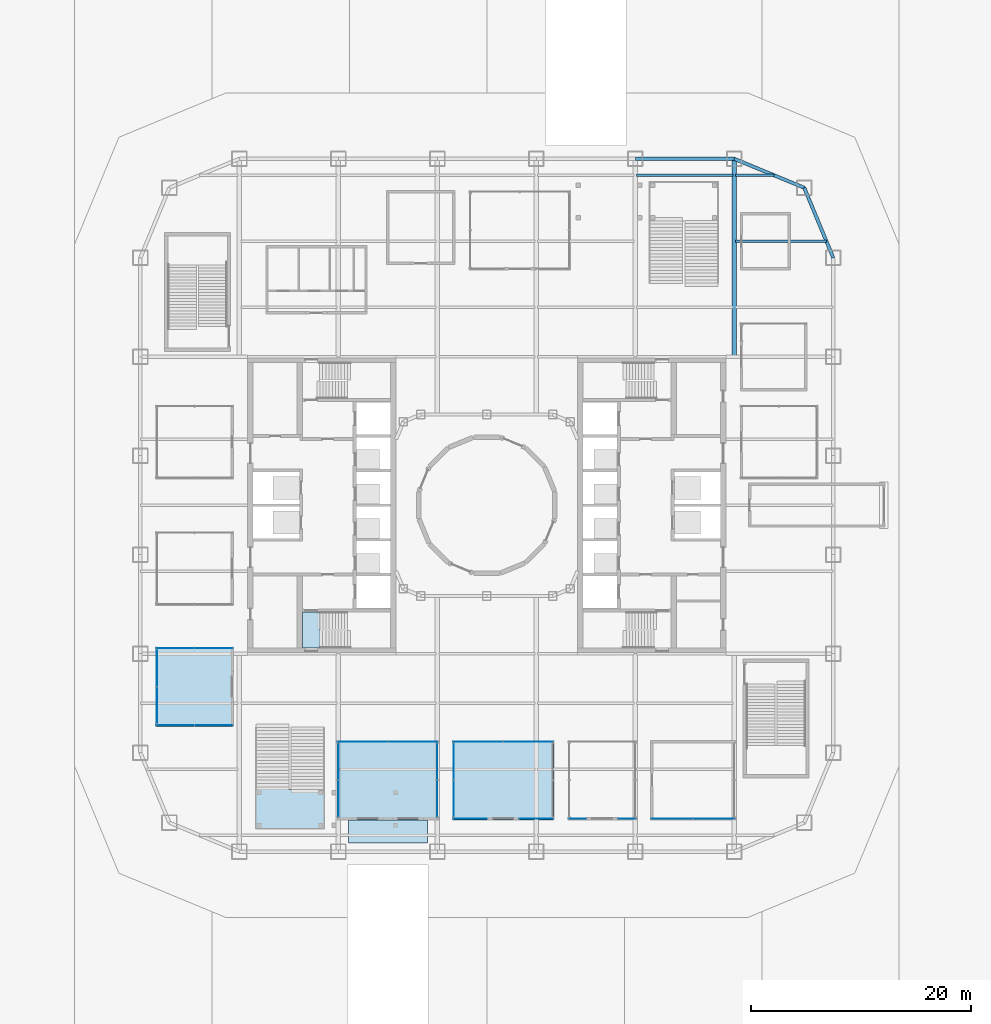
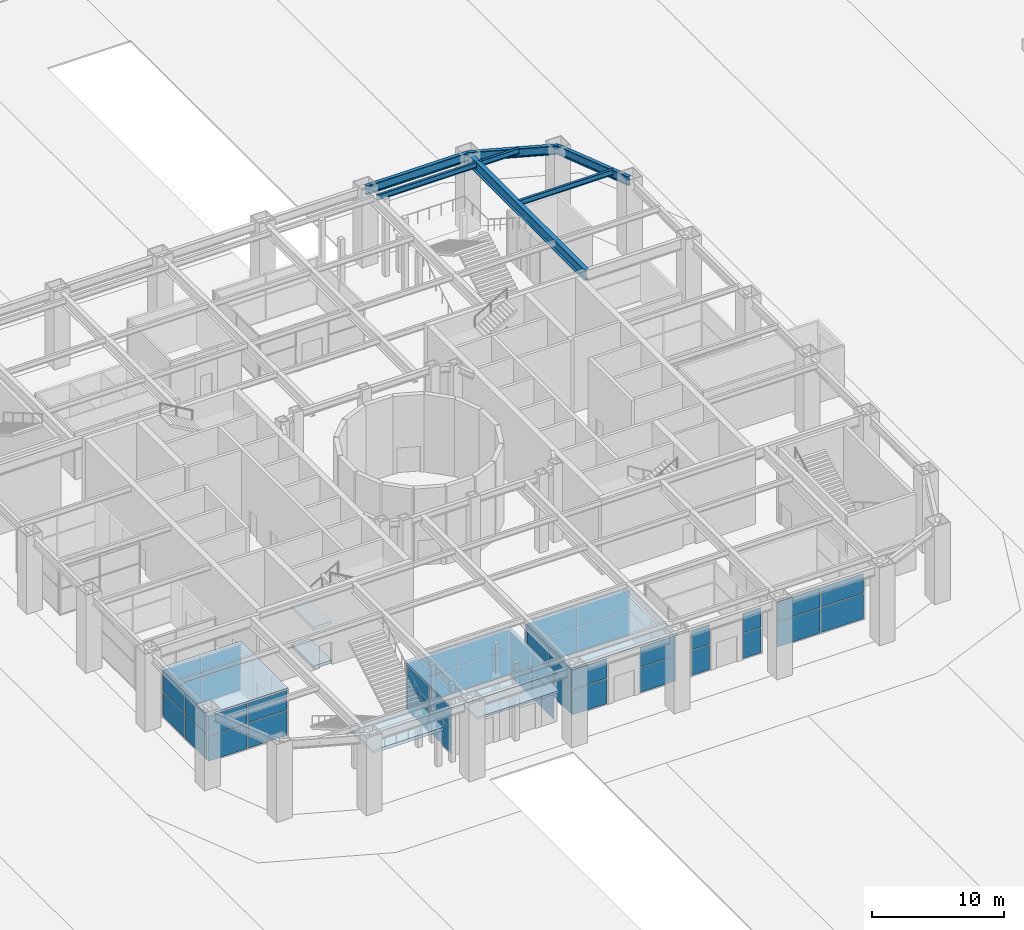
# One storey, part 10 of 20: 48 plates, 7 beams, 3 slabs, 15 elements without a shape of their own.
"""IFC4 building model written with IfcOpenShell, lengths in metres."""

from ifc_helpers import new_model, si_unit, direction, frame, origin, origin_2d, place, context, subcontext, project, spatial, polyline, rectangle, i_section, outline, extrude, material, layer, layer_set, material_profile, profile_set, type_object, element, aggregate, save


model = new_model("IFC4")

# Units and contexts
model_context = context("Model", 3, precision=1e-05, world=origin(), true_north=direction((0.0, 1.0)))
body_context = subcontext(model_context, "Body", "Model", "MODEL_VIEW")
ifc_project = project(units=[si_unit("LENGTHUNIT", "METRE"), si_unit("AREAUNIT", "SQUARE_METRE"), si_unit("VOLUMEUNIT", "CUBIC_METRE"), si_unit("PLANEANGLEUNIT", "RADIAN"), si_unit("MASSUNIT", "GRAM", prefix="KILO")], contexts=[model_context])

# Site, building, storey
site_placement = place(None, origin())
site = spatial("IfcSite", under=ifc_project, at=site_placement, CompositionType="ELEMENT")
building_placement = place(site_placement, origin())
building = spatial("IfcBuilding", under=site, at=building_placement, Name="Siwar Civic Tower", CompositionType="ELEMENT")
storey_placement = place(building_placement, origin())
storey = spatial("IfcBuildingStorey", under=building, at=storey_placement, Name="L00", CompositionType="ELEMENT", Elevation=0.0)

# Beams
ifc_material_1 = material(Name="Steel S355", Category="steel")
ifc_material_profile_1 = material_profile(ifc_material_1, i_section(OverallWidth=0.199951171875, OverallDepth=0.5, WebThickness=0.01025390625, FlangeThickness=0.01611328125, FilletRadius=0.02099609375, at=origin_2d()), Name="IPE500")
ifc_profile_set_1 = profile_set([ifc_material_profile_1], Name="Steel S355")
beam_type_1 = type_object("IfcBeamType", Name="STR-FB-IPE500", PredefinedType="JOIST", material=ifc_profile_set_1)
beam_1_placement = place(storey_placement, frame((22.6298828125, 24.0, 6.75), z_axis=(1.0, 0.0, 0.0), x_axis=(0.0, 1.0, 0.0)))
element("IfcBeam", 1, at=beam_1_placement, inside=storey, type_object=beam_type_1, Name="L00/bm/F053", PredefinedType="JOIST", context=body_context, shape_type="SweptSolid", body=[
    extrude(i_section(OverallWidth=0.199951171875, OverallDepth=0.5, WebThickness=0.01025390625, FlangeThickness=0.01611328125, FilletRadius=0.02099609375, at=origin_2d()), origin(), (0.0, 0.0, 1.0), 8.248779296875),
])
beam_2_placement = place(storey_placement, frame((13.6298828125, 30.0, 6.75), z_axis=(1.0, 0.0, 0.0), x_axis=(0.0, 1.0, 0.0)))
element("IfcBeam", 2, at=beam_2_placement, inside=storey, type_object=beam_type_1, Name="L00/bm/F059", PredefinedType="JOIST", context=body_context, shape_type="SweptSolid", body=[
    extrude(i_section(OverallWidth=0.199951171875, OverallDepth=0.5, WebThickness=0.01025390625, FlangeThickness=0.01611328125, FilletRadius=0.02099609375, at=origin_2d()), origin(), (0.0, 0.0, 1.0), 8.740234375),
])
beam_3_placement = place(storey_placement, frame((22.6298828125, 30.0, 6.75), z_axis=(1.0, 0.0, 0.0), x_axis=(0.0, 1.0, 0.0)))
element("IfcBeam", 3, at=beam_3_placement, inside=storey, type_object=beam_type_1, Name="L00/bm/F060", PredefinedType="JOIST", context=body_context, shape_type="SweptSolid", body=[
    extrude(i_section(OverallWidth=0.199951171875, OverallDepth=0.5, WebThickness=0.01025390625, FlangeThickness=0.01611328125, FilletRadius=0.02099609375, at=origin_2d()), origin(), (0.0, 0.0, 1.0), 3.491455078125),
])
ifc_material_2 = material(Name="Steel S355", Category="steel")
ifc_material_profile_2 = material_profile(ifc_material_2, i_section(OverallWidth=0.39990234375, OverallDepth=1.0, WebThickness=0.01611328125, FlangeThickness=0.0400390625, at=origin_2d()), Name="PG1000x400x16x40")
ifc_profile_set_2 = profile_set([ifc_material_profile_2], Name="Steel S355")
beam_type_2 = type_object("IfcBeamType", Name="STR-PG-PG1000x400x16x40", PredefinedType="BEAM", material=ifc_profile_set_2)
beam_4_placement = place(storey_placement, frame((22.5, 13.5, 6.5), z_axis=(0.0, 1.0, 0.0), x_axis=(-1.0, 0.0, 0.0)))
element("IfcBeam", 4, at=beam_4_placement, inside=storey, type_object=beam_type_2, Name="L00/bm/G12", PredefinedType="BEAM", context=body_context, shape_type="SweptSolid", body=[
    extrude(i_section(OverallWidth=0.39990234375, OverallDepth=1.0, WebThickness=0.01611328125, FlangeThickness=0.0400390625, at=origin_2d()), origin(), (0.0, 0.0, 1.0), 18.0),
])
ifc_material_3 = material(Name="Steel S355", Category="steel")
ifc_material_profile_3 = material_profile(ifc_material_3, i_section(OverallWidth=0.302978515625, OverallDepth=0.81396484375, WebThickness=0.02099609375, FlangeThickness=0.0400390625, FilletRadius=0.030029296875, at=origin_2d()), Name="HEM800")
ifc_profile_set_3 = profile_set([ifc_material_profile_3], Name="Steel S355")
beam_type_3 = type_object("IfcBeamType", Name="STR-SB-HEM800", PredefinedType="BEAM", material=ifc_profile_set_3)
for number, where, z_axis, x_axis, name in (
    (5, (31.5, 22.5, 6.593017578125), (-0.382674207535, 0.923883353507, 0.0), (-0.923883353507, -0.382674207535, 0.0), "L00/bm/SNE1-0"),
    (6, (28.864013671875, 28.864013671875, 6.593017578125), (-0.923883353507, 0.382674207535, 0.0), (-0.382674207535, -0.923883353507, 0.0), "L00/bm/SNE2-0"),
):
    element("IfcBeam", number, at=place(storey_placement, frame(where, z_axis=z_axis, x_axis=x_axis)), inside=storey, type_object=beam_type_3, Name=name, PredefinedType="BEAM", context=body_context, shape_type="SweptSolid", body=[
        extrude(i_section(OverallWidth=0.302978515625, OverallDepth=0.81396484375, WebThickness=0.02099609375, FlangeThickness=0.0400390625, FilletRadius=0.030029296875, at=origin_2d()), origin(), (0.0, 0.0, 1.0), 6.888427734375),
    ])
beam_5_placement = place(storey_placement, frame((22.5, 31.5, 6.593017578125), z_axis=(-1.0, 0.0, 0.0), x_axis=(0.0, -1.0, 0.0)))
element("IfcBeam", 7, at=beam_5_placement, inside=storey, type_object=beam_type_3, Name="L00/bm/SN-0", PredefinedType="BEAM", context=body_context, shape_type="SweptSolid", body=[
    extrude(i_section(OverallWidth=0.302978515625, OverallDepth=0.81396484375, WebThickness=0.02099609375, FlangeThickness=0.0400390625, FilletRadius=0.030029296875, at=origin_2d()), origin(), (0.0, 0.0, 1.0), 9.0),
])

# Stair, slabs
ifc_material_4 = material(Name="Concrete C40/50", Category="concrete")
stair_type_1 = type_object("IfcStairType", Name="CORE-STAIR", PredefinedType="TWO_STRAIGHT_RUN_STAIR", material=ifc_material_4)
stair_1_placement = place(storey_placement, origin())
stair_1 = element("IfcStair", 8, at=stair_1_placement, inside=storey, type_object=stair_type_1, Name="Exit stair ST2", PredefinedType="TWO_STRAIGHT_RUN_STAIR")
ifc_material_5 = material(Name="Concrete C40/50", Category="concrete")
ifc_layer_1 = layer(ifc_material_5, 0.300048828125)
ifc_layer_set_1 = layer_set([ifc_layer_1], Name="Concrete C40/50")
slab_type_1 = type_object("IfcSlabType", Name="CORE-STAIR-LANDING", PredefinedType="LANDING", material=ifc_layer_set_1)
slab_1_placement = place(storey_placement, frame((0.0, 0.0, -0.300048828125)))
slab_1 = element("IfcSlab", 9, at=slab_1_placement, type_object=slab_type_1, Name="ST2 landing 1", PredefinedType="LANDING", context=body_context, shape_type="SweptSolid", body=[
    extrude(outline(polyline([(-15.14990234375, -9.699951171875), (-16.75, -9.699951171875), (-16.75, -13.0), (-15.14990234375, -13.0), (-15.14990234375, -9.699951171875)])), origin(), (0.0, 0.0, 1.0), 0.300048828125),
])
slab_2_placement = place(storey_placement, frame((0.0, 0.0, 3.300048828125)))
slab_2 = element("IfcSlab", 10, at=slab_2_placement, type_object=slab_type_1, Name="ST2 landing 3", PredefinedType="LANDING", context=body_context, shape_type="SweptSolid", body=[
    extrude(outline(polyline([(-15.14990234375, -9.699951171875), (-16.75, -9.699951171875), (-16.75, -13.0), (-15.14990234375, -13.0), (-15.14990234375, -9.699951171875)])), origin(), (0.0, 0.0, 1.0), 0.300048828125),
])
aggregate(stair_1, [slab_1, slab_2])

# Plate
ifc_material_6 = material(Name="Pale metal canopy")
ifc_layer_2 = layer(ifc_material_6, 0.199951171875)
ifc_layer_set_2 = layer_set([ifc_layer_2], Name="Pale metal canopy")
plate_type_1 = type_object("IfcPlateType", Name="GND-CANOPY", PredefinedType="SHEET", material=ifc_layer_set_2)
plate_1_placement = place(storey_placement, frame((0.0, 0.0, 4.300048828125)))
element("IfcPlate", 11, at=plate_1_placement, inside=storey, type_object=plate_type_1, Name="Main entrance canopy", PredefinedType="SHEET", context=body_context, shape_type="SweptSolid", body=[
    extrude(outline(polyline([(-12.60009765625, -30.699951171875), (-5.39990234375, -30.699951171875), (-5.39990234375, -28.60009765625), (-12.60009765625, -28.60009765625), (-12.60009765625, -30.699951171875)])), origin(), (0.0, 0.0, 1.0), 0.199951171875),
])

# Curtain wall, plates
ifc_material_7 = material(Name="Aluminium and glass", Category="aluminium")
ifc_layer_3 = layer(ifc_material_7, 0.199951171875)
ifc_layer_set_3 = layer_set([ifc_layer_3], Name="Aluminium and glass")
curtain_wall_type = type_object("IfcCurtainWallType", Name="GND-CWG", PredefinedType="NOTDEFINED", material=ifc_layer_set_3)
curtain_wall_1_placement = place(storey_placement, origin())
curtain_wall_1 = element("IfcCurtainWall", 12, at=curtain_wall_1_placement, inside=storey, type_object=curtain_wall_type, Name="Glazed screen P01", PredefinedType="NOTDEFINED")
ifc_material_8 = material(Name="Clear laminated glass", Category="glass")
ifc_layer_4 = layer(ifc_material_8, 0.028076171875)
ifc_layer_set_4 = layer_set([ifc_layer_4], Name="Clear laminated glass")
plate_type_2 = type_object("IfcPlateType", Name="GND-CWG-PANEL", PredefinedType="CURTAIN_PANEL", material=ifc_layer_set_4)
plate_2_placement = place(storey_placement, frame((-4.5, -26.68505859375, 0.06005859375), z_axis=(0.0, 0.0, 1.0), x_axis=(0.0, 1.0, 0.0)))
plate_2 = element("IfcPlate", 13, at=plate_2_placement, type_object=plate_type_2, Name="CW-G panel 1.1", PredefinedType="CURTAIN_PANEL", context=body_context, shape_type="SweptSolid", body=[
    extrude(rectangle(XDim=3.31005859375, YDim=0.028076171875, at=origin_2d()), origin(), (0.0, 0.0, 1.0), 2.31005859375),
])
plate_3_placement = place(storey_placement, frame((-4.5, -26.68505859375, 2.429931640625), z_axis=(0.0, 0.0, 1.0), x_axis=(0.0, 1.0, 0.0)))
plate_3 = element("IfcPlate", 14, at=plate_3_placement, type_object=plate_type_2, Name="CW-G panel 1.2", PredefinedType="CURTAIN_PANEL", context=body_context, shape_type="SweptSolid", body=[
    extrude(rectangle(XDim=3.31005859375, YDim=0.028076171875, at=origin_2d()), origin(), (0.0, 0.0, 1.0), 1.81005859375),
])
plate_4_placement = place(storey_placement, frame((-4.5, -23.31494140625, 0.06005859375), z_axis=(0.0, 0.0, 1.0), x_axis=(0.0, 1.0, 0.0)))
plate_4 = element("IfcPlate", 15, at=plate_4_placement, type_object=plate_type_2, Name="CW-G panel 2.1", PredefinedType="CURTAIN_PANEL", context=body_context, shape_type="SweptSolid", body=[
    extrude(rectangle(XDim=3.31005859375, YDim=0.028076171875, at=origin_2d()), origin(), (0.0, 0.0, 1.0), 2.31005859375),
])
plate_5_placement = place(storey_placement, frame((-4.5, -23.31494140625, 2.429931640625), z_axis=(0.0, 0.0, 1.0), x_axis=(0.0, 1.0, 0.0)))
plate_5 = element("IfcPlate", 16, at=plate_5_placement, type_object=plate_type_2, Name="CW-G panel 2.2", PredefinedType="CURTAIN_PANEL", context=body_context, shape_type="SweptSolid", body=[
    extrude(rectangle(XDim=3.31005859375, YDim=0.028076171875, at=origin_2d()), origin(), (0.0, 0.0, 1.0), 1.81005859375),
])
aggregate(curtain_wall_1, [plate_2, plate_3, plate_4, plate_5])

curtain_wall_2_placement = place(storey_placement, origin())
curtain_wall_2 = element("IfcCurtainWall", 17, at=curtain_wall_2_placement, inside=storey, type_object=curtain_wall_type, Name="Glazed screen P01", PredefinedType="NOTDEFINED")
plate_6_placement = place(storey_placement, frame((-11.284912109375, -21.5, 0.06005859375), z_axis=(0.0, 0.0, 1.0), x_axis=(1.0, 0.0, 0.0)))
plate_6 = element("IfcPlate", 18, at=plate_6_placement, type_object=plate_type_2, Name="CW-G panel 1.1", PredefinedType="CURTAIN_PANEL", context=body_context, shape_type="SweptSolid", body=[
    extrude(rectangle(XDim=4.510009765625, YDim=0.028076171875, at=origin_2d()), origin(), (0.0, 0.0, 1.0), 2.31005859375),
])
plate_7_placement = place(storey_placement, frame((-11.284912109375, -21.5, 2.429931640625), z_axis=(0.0, 0.0, 1.0), x_axis=(1.0, 0.0, 0.0)))
plate_7 = element("IfcPlate", 19, at=plate_7_placement, type_object=plate_type_2, Name="CW-G panel 1.2", PredefinedType="CURTAIN_PANEL", context=body_context, shape_type="SweptSolid", body=[
    extrude(rectangle(XDim=4.510009765625, YDim=0.028076171875, at=origin_2d()), origin(), (0.0, 0.0, 1.0), 1.81005859375),
])
plate_8_placement = place(storey_placement, frame((-6.715087890625, -21.5, 0.06005859375), z_axis=(0.0, 0.0, 1.0), x_axis=(1.0, 0.0, 0.0)))
plate_8 = element("IfcPlate", 20, at=plate_8_placement, type_object=plate_type_2, Name="CW-G panel 2.1", PredefinedType="CURTAIN_PANEL", context=body_context, shape_type="SweptSolid", body=[
    extrude(rectangle(XDim=4.510009765625, YDim=0.028076171875, at=origin_2d()), origin(), (0.0, 0.0, 1.0), 2.31005859375),
])
plate_9_placement = place(storey_placement, frame((-6.715087890625, -21.5, 2.429931640625), z_axis=(0.0, 0.0, 1.0), x_axis=(1.0, 0.0, 0.0)))
plate_9 = element("IfcPlate", 21, at=plate_9_placement, type_object=plate_type_2, Name="CW-G panel 2.2", PredefinedType="CURTAIN_PANEL", context=body_context, shape_type="SweptSolid", body=[
    extrude(rectangle(XDim=4.510009765625, YDim=0.028076171875, at=origin_2d()), origin(), (0.0, 0.0, 1.0), 1.81005859375),
])
aggregate(curtain_wall_2, [plate_6, plate_7, plate_8, plate_9])

curtain_wall_3_placement = place(storey_placement, origin())
curtain_wall_3 = element("IfcCurtainWall", 22, at=curtain_wall_3_placement, inside=storey, type_object=curtain_wall_type, Name="Glazed screen P01", PredefinedType="NOTDEFINED")
plate_10_placement = place(storey_placement, frame((-13.5, -26.68505859375, 0.06005859375), z_axis=(0.0, 0.0, 1.0), x_axis=(0.0, 1.0, 0.0)))
plate_10 = element("IfcPlate", 23, at=plate_10_placement, type_object=plate_type_2, Name="CW-G panel 1.1", PredefinedType="CURTAIN_PANEL", context=body_context, shape_type="SweptSolid", body=[
    extrude(rectangle(XDim=3.31005859375, YDim=0.028076171875, at=origin_2d()), origin(), (0.0, 0.0, 1.0), 2.31005859375),
])
plate_11_placement = place(storey_placement, frame((-13.5, -26.68505859375, 2.429931640625), z_axis=(0.0, 0.0, 1.0), x_axis=(0.0, 1.0, 0.0)))
plate_11 = element("IfcPlate", 24, at=plate_11_placement, type_object=plate_type_2, Name="CW-G panel 1.2", PredefinedType="CURTAIN_PANEL", context=body_context, shape_type="SweptSolid", body=[
    extrude(rectangle(XDim=3.31005859375, YDim=0.028076171875, at=origin_2d()), origin(), (0.0, 0.0, 1.0), 1.81005859375),
])
plate_12_placement = place(storey_placement, frame((-13.5, -23.31494140625, 0.06005859375), z_axis=(0.0, 0.0, 1.0), x_axis=(0.0, 1.0, 0.0)))
plate_12 = element("IfcPlate", 25, at=plate_12_placement, type_object=plate_type_2, Name="CW-G panel 2.1", PredefinedType="CURTAIN_PANEL", context=body_context, shape_type="SweptSolid", body=[
    extrude(rectangle(XDim=3.31005859375, YDim=0.028076171875, at=origin_2d()), origin(), (0.0, 0.0, 1.0), 2.31005859375),
])
plate_13_placement = place(storey_placement, frame((-13.5, -23.31494140625, 2.429931640625), z_axis=(0.0, 0.0, 1.0), x_axis=(0.0, 1.0, 0.0)))
plate_13 = element("IfcPlate", 26, at=plate_13_placement, type_object=plate_type_2, Name="CW-G panel 2.2", PredefinedType="CURTAIN_PANEL", context=body_context, shape_type="SweptSolid", body=[
    extrude(rectangle(XDim=3.31005859375, YDim=0.028076171875, at=origin_2d()), origin(), (0.0, 0.0, 1.0), 1.81005859375),
])
aggregate(curtain_wall_3, [plate_10, plate_11, plate_12, plate_13])

curtain_wall_4_placement = place(storey_placement, origin())
curtain_wall_4 = element("IfcCurtainWall", 27, at=curtain_wall_4_placement, inside=storey, type_object=curtain_wall_type, Name="Glazed screen P04", PredefinedType="NOTDEFINED")
plate_14_placement = place(storey_placement, frame((8.25, -28.5, 0.06005859375), z_axis=(0.0, 0.0, 1.0), x_axis=(1.0, 0.0, 0.0)))
plate_14 = element("IfcPlate", 28, at=plate_14_placement, type_object=plate_type_2, Name="CW-G panel 1.1", PredefinedType="CURTAIN_PANEL", context=body_context, shape_type="SweptSolid", body=[
    extrude(rectangle(XDim=1.580078125, YDim=0.028076171875, at=origin_2d()), origin(), (0.0, 0.0, 1.0), 2.31005859375),
])
plate_15_placement = place(storey_placement, frame((8.25, -28.5, 2.429931640625), z_axis=(0.0, 0.0, 1.0), x_axis=(1.0, 0.0, 0.0)))
plate_15 = element("IfcPlate", 29, at=plate_15_placement, type_object=plate_type_2, Name="CW-G panel 1.2", PredefinedType="CURTAIN_PANEL", context=body_context, shape_type="SweptSolid", body=[
    extrude(rectangle(XDim=1.580078125, YDim=0.028076171875, at=origin_2d()), origin(), (0.0, 0.0, 1.0), 1.81005859375),
])
aggregate(curtain_wall_4, [plate_14, plate_15])

curtain_wall_5_placement = place(storey_placement, origin())
curtain_wall_5 = element("IfcCurtainWall", 30, at=curtain_wall_5_placement, inside=storey, type_object=curtain_wall_type, Name="Glazed screen P04", PredefinedType="NOTDEFINED")
plate_16_placement = place(storey_placement, frame((12.75, -28.5, 0.06005859375), z_axis=(0.0, 0.0, 1.0), x_axis=(1.0, 0.0, 0.0)))
plate_16 = element("IfcPlate", 31, at=plate_16_placement, type_object=plate_type_2, Name="CW-G panel 1.1", PredefinedType="CURTAIN_PANEL", context=body_context, shape_type="SweptSolid", body=[
    extrude(rectangle(XDim=1.580078125, YDim=0.028076171875, at=origin_2d()), origin(), (0.0, 0.0, 1.0), 2.31005859375),
])
plate_17_placement = place(storey_placement, frame((12.75, -28.5, 2.429931640625), z_axis=(0.0, 0.0, 1.0), x_axis=(1.0, 0.0, 0.0)))
plate_17 = element("IfcPlate", 32, at=plate_17_placement, type_object=plate_type_2, Name="CW-G panel 1.2", PredefinedType="CURTAIN_PANEL", context=body_context, shape_type="SweptSolid", body=[
    extrude(rectangle(XDim=1.580078125, YDim=0.028076171875, at=origin_2d()), origin(), (0.0, 0.0, 1.0), 1.81005859375),
])
aggregate(curtain_wall_5, [plate_16, plate_17])

curtain_wall_6_placement = place(storey_placement, origin())
curtain_wall_6 = element("IfcCurtainWall", 33, at=curtain_wall_6_placement, inside=storey, type_object=curtain_wall_type, Name="Glazed screen P05", PredefinedType="NOTDEFINED")
plate_18_placement = place(storey_placement, frame((-1.5, -28.5, 0.06005859375), z_axis=(0.0, 0.0, 1.0), x_axis=(1.0, 0.0, 0.0)))
plate_18 = element("IfcPlate", 34, at=plate_18_placement, type_object=plate_type_2, Name="CW-G panel 1.1", PredefinedType="CURTAIN_PANEL", context=body_context, shape_type="SweptSolid", body=[
    extrude(rectangle(XDim=3.080078125, YDim=0.028076171875, at=origin_2d()), origin(), (0.0, 0.0, 1.0), 2.31005859375),
])
plate_19_placement = place(storey_placement, frame((-1.5, -28.5, 2.429931640625), z_axis=(0.0, 0.0, 1.0), x_axis=(1.0, 0.0, 0.0)))
plate_19 = element("IfcPlate", 35, at=plate_19_placement, type_object=plate_type_2, Name="CW-G panel 1.2", PredefinedType="CURTAIN_PANEL", context=body_context, shape_type="SweptSolid", body=[
    extrude(rectangle(XDim=3.080078125, YDim=0.028076171875, at=origin_2d()), origin(), (0.0, 0.0, 1.0), 1.81005859375),
])
aggregate(curtain_wall_6, [plate_18, plate_19])

curtain_wall_7_placement = place(storey_placement, origin())
curtain_wall_7 = element("IfcCurtainWall", 36, at=curtain_wall_7_placement, inside=storey, type_object=curtain_wall_type, Name="Glazed screen P05", PredefinedType="NOTDEFINED")
plate_20_placement = place(storey_placement, frame((4.5, -28.5, 0.06005859375), z_axis=(0.0, 0.0, 1.0), x_axis=(1.0, 0.0, 0.0)))
plate_20 = element("IfcPlate", 37, at=plate_20_placement, type_object=plate_type_2, Name="CW-G panel 1.1", PredefinedType="CURTAIN_PANEL", context=body_context, shape_type="SweptSolid", body=[
    extrude(rectangle(XDim=3.080078125, YDim=0.028076171875, at=origin_2d()), origin(), (0.0, 0.0, 1.0), 2.31005859375),
])
plate_21_placement = place(storey_placement, frame((4.5, -28.5, 2.429931640625), z_axis=(0.0, 0.0, 1.0), x_axis=(1.0, 0.0, 0.0)))
plate_21 = element("IfcPlate", 38, at=plate_21_placement, type_object=plate_type_2, Name="CW-G panel 1.2", PredefinedType="CURTAIN_PANEL", context=body_context, shape_type="SweptSolid", body=[
    extrude(rectangle(XDim=3.080078125, YDim=0.028076171875, at=origin_2d()), origin(), (0.0, 0.0, 1.0), 1.81005859375),
])
aggregate(curtain_wall_7, [plate_20, plate_21])

curtain_wall_8_placement = place(storey_placement, origin())
curtain_wall_8 = element("IfcCurtainWall", 39, at=curtain_wall_8_placement, inside=storey, type_object=curtain_wall_type, Name="Glazed screen P05", PredefinedType="NOTDEFINED")
plate_22_placement = place(storey_placement, frame((-0.784912109375, -21.5, 0.06005859375), z_axis=(0.0, 0.0, 1.0), x_axis=(1.0, 0.0, 0.0)))
plate_22 = element("IfcPlate", 40, at=plate_22_placement, type_object=plate_type_2, Name="CW-G panel 1.1", PredefinedType="CURTAIN_PANEL", context=body_context, shape_type="SweptSolid", body=[
    extrude(rectangle(XDim=4.510009765625, YDim=0.028076171875, at=origin_2d()), origin(), (0.0, 0.0, 1.0), 2.31005859375),
])
plate_23_placement = place(storey_placement, frame((-0.784912109375, -21.5, 2.429931640625), z_axis=(0.0, 0.0, 1.0), x_axis=(1.0, 0.0, 0.0)))
plate_23 = element("IfcPlate", 41, at=plate_23_placement, type_object=plate_type_2, Name="CW-G panel 1.2", PredefinedType="CURTAIN_PANEL", context=body_context, shape_type="SweptSolid", body=[
    extrude(rectangle(XDim=4.510009765625, YDim=0.028076171875, at=origin_2d()), origin(), (0.0, 0.0, 1.0), 1.81005859375),
])
plate_24_placement = place(storey_placement, frame((3.784912109375, -21.5, 0.06005859375), z_axis=(0.0, 0.0, 1.0), x_axis=(1.0, 0.0, 0.0)))
plate_24 = element("IfcPlate", 42, at=plate_24_placement, type_object=plate_type_2, Name="CW-G panel 2.1", PredefinedType="CURTAIN_PANEL", context=body_context, shape_type="SweptSolid", body=[
    extrude(rectangle(XDim=4.510009765625, YDim=0.028076171875, at=origin_2d()), origin(), (0.0, 0.0, 1.0), 2.31005859375),
])
plate_25_placement = place(storey_placement, frame((3.784912109375, -21.5, 2.429931640625), z_axis=(0.0, 0.0, 1.0), x_axis=(1.0, 0.0, 0.0)))
plate_25 = element("IfcPlate", 43, at=plate_25_placement, type_object=plate_type_2, Name="CW-G panel 2.2", PredefinedType="CURTAIN_PANEL", context=body_context, shape_type="SweptSolid", body=[
    extrude(rectangle(XDim=4.510009765625, YDim=0.028076171875, at=origin_2d()), origin(), (0.0, 0.0, 1.0), 1.81005859375),
])
aggregate(curtain_wall_8, [plate_22, plate_23, plate_24, plate_25])

curtain_wall_9_placement = place(storey_placement, origin())
curtain_wall_9 = element("IfcCurtainWall", 44, at=curtain_wall_9_placement, inside=storey, type_object=curtain_wall_type, Name="Glazed screen P05", PredefinedType="NOTDEFINED")
plate_26_placement = place(storey_placement, frame((-3.0, -26.68505859375, 0.06005859375), z_axis=(0.0, 0.0, 1.0), x_axis=(0.0, 1.0, 0.0)))
plate_26 = element("IfcPlate", 45, at=plate_26_placement, type_object=plate_type_2, Name="CW-G panel 1.1", PredefinedType="CURTAIN_PANEL", context=body_context, shape_type="SweptSolid", body=[
    extrude(rectangle(XDim=3.31005859375, YDim=0.028076171875, at=origin_2d()), origin(), (0.0, 0.0, 1.0), 2.31005859375),
])
plate_27_placement = place(storey_placement, frame((-3.0, -26.68505859375, 2.429931640625), z_axis=(0.0, 0.0, 1.0), x_axis=(0.0, 1.0, 0.0)))
plate_27 = element("IfcPlate", 46, at=plate_27_placement, type_object=plate_type_2, Name="CW-G panel 1.2", PredefinedType="CURTAIN_PANEL", context=body_context, shape_type="SweptSolid", body=[
    extrude(rectangle(XDim=3.31005859375, YDim=0.028076171875, at=origin_2d()), origin(), (0.0, 0.0, 1.0), 1.81005859375),
])
plate_28_placement = place(storey_placement, frame((-3.0, -23.31494140625, 0.06005859375), z_axis=(0.0, 0.0, 1.0), x_axis=(0.0, 1.0, 0.0)))
plate_28 = element("IfcPlate", 47, at=plate_28_placement, type_object=plate_type_2, Name="CW-G panel 2.1", PredefinedType="CURTAIN_PANEL", context=body_context, shape_type="SweptSolid", body=[
    extrude(rectangle(XDim=3.31005859375, YDim=0.028076171875, at=origin_2d()), origin(), (0.0, 0.0, 1.0), 2.31005859375),
])
plate_29_placement = place(storey_placement, frame((-3.0, -23.31494140625, 2.429931640625), z_axis=(0.0, 0.0, 1.0), x_axis=(0.0, 1.0, 0.0)))
plate_29 = element("IfcPlate", 48, at=plate_29_placement, type_object=plate_type_2, Name="CW-G panel 2.2", PredefinedType="CURTAIN_PANEL", context=body_context, shape_type="SweptSolid", body=[
    extrude(rectangle(XDim=3.31005859375, YDim=0.028076171875, at=origin_2d()), origin(), (0.0, 0.0, 1.0), 1.81005859375),
])
aggregate(curtain_wall_9, [plate_26, plate_27, plate_28, plate_29])

curtain_wall_10_placement = place(storey_placement, origin())
curtain_wall_10 = element("IfcCurtainWall", 49, at=curtain_wall_10_placement, inside=storey, type_object=curtain_wall_type, Name="Glazed screen P11", PredefinedType="NOTDEFINED")
plate_30_placement = place(storey_placement, frame((16.840087890625, -28.5, 0.06005859375), z_axis=(0.0, 0.0, 1.0), x_axis=(1.0, 0.0, 0.0)))
plate_30 = element("IfcPlate", 50, at=plate_30_placement, type_object=plate_type_2, Name="CW-G panel 1.1", PredefinedType="CURTAIN_PANEL", context=body_context, shape_type="SweptSolid", body=[
    extrude(rectangle(XDim=3.760009765625, YDim=0.028076171875, at=origin_2d()), origin(), (0.0, 0.0, 1.0), 2.31005859375),
])
plate_31_placement = place(storey_placement, frame((16.840087890625, -28.5, 2.429931640625), z_axis=(0.0, 0.0, 1.0), x_axis=(1.0, 0.0, 0.0)))
plate_31 = element("IfcPlate", 51, at=plate_31_placement, type_object=plate_type_2, Name="CW-G panel 1.2", PredefinedType="CURTAIN_PANEL", context=body_context, shape_type="SweptSolid", body=[
    extrude(rectangle(XDim=3.760009765625, YDim=0.028076171875, at=origin_2d()), origin(), (0.0, 0.0, 1.0), 1.81005859375),
])
plate_32_placement = place(storey_placement, frame((20.659912109375, -28.5, 0.06005859375), z_axis=(0.0, 0.0, 1.0), x_axis=(1.0, 0.0, 0.0)))
plate_32 = element("IfcPlate", 52, at=plate_32_placement, type_object=plate_type_2, Name="CW-G panel 2.1", PredefinedType="CURTAIN_PANEL", context=body_context, shape_type="SweptSolid", body=[
    extrude(rectangle(XDim=3.760009765625, YDim=0.028076171875, at=origin_2d()), origin(), (0.0, 0.0, 1.0), 2.31005859375),
])
plate_33_placement = place(storey_placement, frame((20.659912109375, -28.5, 2.429931640625), z_axis=(0.0, 0.0, 1.0), x_axis=(1.0, 0.0, 0.0)))
plate_33 = element("IfcPlate", 53, at=plate_33_placement, type_object=plate_type_2, Name="CW-G panel 2.2", PredefinedType="CURTAIN_PANEL", context=body_context, shape_type="SweptSolid", body=[
    extrude(rectangle(XDim=3.760009765625, YDim=0.028076171875, at=origin_2d()), origin(), (0.0, 0.0, 1.0), 1.81005859375),
])
aggregate(curtain_wall_10, [plate_30, plate_31, plate_32, plate_33])

curtain_wall_11_placement = place(storey_placement, origin())
curtain_wall_11 = element("IfcCurtainWall", 54, at=curtain_wall_11_placement, inside=storey, type_object=curtain_wall_type, Name="Glazed screen P12", PredefinedType="NOTDEFINED")
plate_34_placement = place(storey_placement, frame((-28.322509765625, -20.0, 0.06005859375), z_axis=(0.0, 0.0, 1.0), x_axis=(1.0, 0.0, 0.0)))
plate_34 = element("IfcPlate", 55, at=plate_34_placement, type_object=plate_type_2, Name="CW-G panel 1.1", PredefinedType="CURTAIN_PANEL", context=body_context, shape_type="SweptSolid", body=[
    extrude(rectangle(XDim=3.43505859375, YDim=0.028076171875, at=origin_2d()), origin(), (0.0, 0.0, 1.0), 2.31005859375),
])
plate_35_placement = place(storey_placement, frame((-28.322509765625, -20.0, 2.429931640625), z_axis=(0.0, 0.0, 1.0), x_axis=(1.0, 0.0, 0.0)))
plate_35 = element("IfcPlate", 56, at=plate_35_placement, type_object=plate_type_2, Name="CW-G panel 1.2", PredefinedType="CURTAIN_PANEL", context=body_context, shape_type="SweptSolid", body=[
    extrude(rectangle(XDim=3.43505859375, YDim=0.028076171875, at=origin_2d()), origin(), (0.0, 0.0, 1.0), 1.81005859375),
])
plate_36_placement = place(storey_placement, frame((-24.827392578125, -20.0, 0.06005859375), z_axis=(0.0, 0.0, 1.0), x_axis=(1.0, 0.0, 0.0)))
plate_36 = element("IfcPlate", 57, at=plate_36_placement, type_object=plate_type_2, Name="CW-G panel 2.1", PredefinedType="CURTAIN_PANEL", context=body_context, shape_type="SweptSolid", body=[
    extrude(rectangle(XDim=3.43505859375, YDim=0.028076171875, at=origin_2d()), origin(), (0.0, 0.0, 1.0), 2.31005859375),
])
plate_37_placement = place(storey_placement, frame((-24.827392578125, -20.0, 2.429931640625), z_axis=(0.0, 0.0, 1.0), x_axis=(1.0, 0.0, 0.0)))
plate_37 = element("IfcPlate", 58, at=plate_37_placement, type_object=plate_type_2, Name="CW-G panel 2.2", PredefinedType="CURTAIN_PANEL", context=body_context, shape_type="SweptSolid", body=[
    extrude(rectangle(XDim=3.43505859375, YDim=0.028076171875, at=origin_2d()), origin(), (0.0, 0.0, 1.0), 1.81005859375),
])
aggregate(curtain_wall_11, [plate_34, plate_35, plate_36, plate_37])

curtain_wall_12_placement = place(storey_placement, origin())
curtain_wall_12 = element("IfcCurtainWall", 59, at=curtain_wall_12_placement, inside=storey, type_object=curtain_wall_type, Name="Glazed screen P12", PredefinedType="NOTDEFINED")
plate_38_placement = place(storey_placement, frame((-28.322509765625, -13.0, 0.06005859375), z_axis=(0.0, 0.0, 1.0), x_axis=(1.0, 0.0, 0.0)))
plate_38 = element("IfcPlate", 60, at=plate_38_placement, type_object=plate_type_2, Name="CW-G panel 1.1", PredefinedType="CURTAIN_PANEL", context=body_context, shape_type="SweptSolid", body=[
    extrude(rectangle(XDim=3.43505859375, YDim=0.028076171875, at=origin_2d()), origin(), (0.0, 0.0, 1.0), 2.31005859375),
])
plate_39_placement = place(storey_placement, frame((-28.322509765625, -13.0, 2.429931640625), z_axis=(0.0, 0.0, 1.0), x_axis=(1.0, 0.0, 0.0)))
plate_39 = element("IfcPlate", 61, at=plate_39_placement, type_object=plate_type_2, Name="CW-G panel 1.2", PredefinedType="CURTAIN_PANEL", context=body_context, shape_type="SweptSolid", body=[
    extrude(rectangle(XDim=3.43505859375, YDim=0.028076171875, at=origin_2d()), origin(), (0.0, 0.0, 1.0), 1.81005859375),
])
plate_40_placement = place(storey_placement, frame((-24.827392578125, -13.0, 0.06005859375), z_axis=(0.0, 0.0, 1.0), x_axis=(1.0, 0.0, 0.0)))
plate_40 = element("IfcPlate", 62, at=plate_40_placement, type_object=plate_type_2, Name="CW-G panel 2.1", PredefinedType="CURTAIN_PANEL", context=body_context, shape_type="SweptSolid", body=[
    extrude(rectangle(XDim=3.43505859375, YDim=0.028076171875, at=origin_2d()), origin(), (0.0, 0.0, 1.0), 2.31005859375),
])
plate_41_placement = place(storey_placement, frame((-24.827392578125, -13.0, 2.429931640625), z_axis=(0.0, 0.0, 1.0), x_axis=(1.0, 0.0, 0.0)))
plate_41 = element("IfcPlate", 63, at=plate_41_placement, type_object=plate_type_2, Name="CW-G panel 2.2", PredefinedType="CURTAIN_PANEL", context=body_context, shape_type="SweptSolid", body=[
    extrude(rectangle(XDim=3.43505859375, YDim=0.028076171875, at=origin_2d()), origin(), (0.0, 0.0, 1.0), 1.81005859375),
])
aggregate(curtain_wall_12, [plate_38, plate_39, plate_40, plate_41])

curtain_wall_13_placement = place(storey_placement, origin())
curtain_wall_13 = element("IfcCurtainWall", 64, at=curtain_wall_13_placement, inside=storey, type_object=curtain_wall_type, Name="Glazed screen P12", PredefinedType="NOTDEFINED")
plate_42_placement = place(storey_placement, frame((-30.0, -18.18505859375, 0.06005859375), z_axis=(0.0, 0.0, 1.0), x_axis=(0.0, 1.0, 0.0)))
plate_42 = element("IfcPlate", 65, at=plate_42_placement, type_object=plate_type_2, Name="CW-G panel 1.1", PredefinedType="CURTAIN_PANEL", context=body_context, shape_type="SweptSolid", body=[
    extrude(rectangle(XDim=3.31005859375, YDim=0.028076171875, at=origin_2d()), origin(), (0.0, 0.0, 1.0), 2.31005859375),
])
plate_43_placement = place(storey_placement, frame((-30.0, -18.18505859375, 2.429931640625), z_axis=(0.0, 0.0, 1.0), x_axis=(0.0, 1.0, 0.0)))
plate_43 = element("IfcPlate", 66, at=plate_43_placement, type_object=plate_type_2, Name="CW-G panel 1.2", PredefinedType="CURTAIN_PANEL", context=body_context, shape_type="SweptSolid", body=[
    extrude(rectangle(XDim=3.31005859375, YDim=0.028076171875, at=origin_2d()), origin(), (0.0, 0.0, 1.0), 1.81005859375),
])
plate_44_placement = place(storey_placement, frame((-30.0, -14.81494140625, 0.06005859375), z_axis=(0.0, 0.0, 1.0), x_axis=(0.0, 1.0, 0.0)))
plate_44 = element("IfcPlate", 67, at=plate_44_placement, type_object=plate_type_2, Name="CW-G panel 2.1", PredefinedType="CURTAIN_PANEL", context=body_context, shape_type="SweptSolid", body=[
    extrude(rectangle(XDim=3.31005859375, YDim=0.028076171875, at=origin_2d()), origin(), (0.0, 0.0, 1.0), 2.31005859375),
])
plate_45_placement = place(storey_placement, frame((-30.0, -14.81494140625, 2.429931640625), z_axis=(0.0, 0.0, 1.0), x_axis=(0.0, 1.0, 0.0)))
plate_45 = element("IfcPlate", 68, at=plate_45_placement, type_object=plate_type_2, Name="CW-G panel 2.2", PredefinedType="CURTAIN_PANEL", context=body_context, shape_type="SweptSolid", body=[
    extrude(rectangle(XDim=3.31005859375, YDim=0.028076171875, at=origin_2d()), origin(), (0.0, 0.0, 1.0), 1.81005859375),
])
aggregate(curtain_wall_13, [plate_42, plate_43, plate_44, plate_45])

# Stair, slab
ifc_material_9 = material(Name="Concrete C40/50", Category="concrete")
stair_type_2 = type_object("IfcStairType", Name="GND-GS-STAIR", PredefinedType="TWO_STRAIGHT_RUN_STAIR", material=ifc_material_9)
stair_2_placement = place(storey_placement, origin())
stair_2 = element("IfcStair", 69, at=stair_2_placement, inside=storey, type_object=stair_type_2, Name="Grand stair 1", PredefinedType="TWO_STRAIGHT_RUN_STAIR")
ifc_material_10 = material(Name="Concrete C40/50", Category="concrete")
ifc_layer_5 = layer(ifc_material_10, 0.300048828125)
ifc_layer_set_5 = layer_set([ifc_layer_5], Name="Concrete C40/50")
slab_type_2 = type_object("IfcSlabType", Name="GND-GS-LANDING", PredefinedType="LANDING", material=ifc_layer_set_5)
slab_3_placement = place(storey_placement, frame((0.0, 0.0, 3.300048828125)))
slab_3 = element("IfcSlab", 70, at=slab_3_placement, type_object=slab_type_2, Name="GS1 landing 1", PredefinedType="LANDING", context=body_context, shape_type="SweptSolid", body=[
    extrude(outline(polyline([(-21.0, -29.39990234375), (-14.800048828125, -29.39990234375), (-14.800048828125, -25.85009765625), (-21.0, -25.85009765625), (-21.0, -29.39990234375)])), origin(), (0.0, 0.0, 1.0), 0.300048828125),
])
aggregate(stair_2, [slab_3])

# Plates
ifc_material_11 = material(Name="Insulated metal deck")
ifc_layer_6 = layer(ifc_material_11, 0.199951171875)
ifc_layer_set_6 = layer_set([ifc_layer_6], Name="Insulated metal deck")
plate_type_3 = type_object("IfcPlateType", Name="GND-POD-ROOF", PredefinedType="SHEET", material=ifc_layer_set_6)
plate_46_placement = place(storey_placement, frame((0.0, 0.0, 4.300048828125)))
element("IfcPlate", 71, at=plate_46_placement, inside=storey, type_object=plate_type_3, Name="Roof Main lobby", PredefinedType="SHEET", context=body_context, shape_type="SweptSolid", body=[
    extrude(outline(polyline([(-13.60009765625, -28.60009765625), (-4.39990234375, -28.60009765625), (-4.39990234375, -21.39990234375), (-13.60009765625, -21.39990234375), (-13.60009765625, -28.60009765625)])), origin(), (0.0, 0.0, 1.0), 0.199951171875),
])
plate_47_placement = place(storey_placement, frame((0.0, 0.0, 4.300048828125)))
element("IfcPlate", 72, at=plate_47_placement, inside=storey, type_object=plate_type_3, Name="Roof Cafe", PredefinedType="SHEET", context=body_context, shape_type="SweptSolid", body=[
    extrude(outline(polyline([(-3.10009765625, -28.60009765625), (6.10009765625, -28.60009765625), (6.10009765625, -21.39990234375), (-3.10009765625, -21.39990234375), (-3.10009765625, -28.60009765625)])), origin(), (0.0, 0.0, 1.0), 0.199951171875),
])
plate_48_placement = place(storey_placement, frame((0.0, 0.0, 4.300048828125)))
element("IfcPlate", 73, at=plate_48_placement, inside=storey, type_object=plate_type_3, Name="Roof Visitor waiting lounge", PredefinedType="SHEET", context=body_context, shape_type="SweptSolid", body=[
    extrude(outline(polyline([(-30.10009765625, -20.10009765625), (-23.050048828125, -20.10009765625), (-23.050048828125, -12.89990234375), (-30.10009765625, -12.89990234375), (-30.10009765625, -20.10009765625)])), origin(), (0.0, 0.0, 1.0), 0.199951171875),
])

save(model, "model.ifc")
